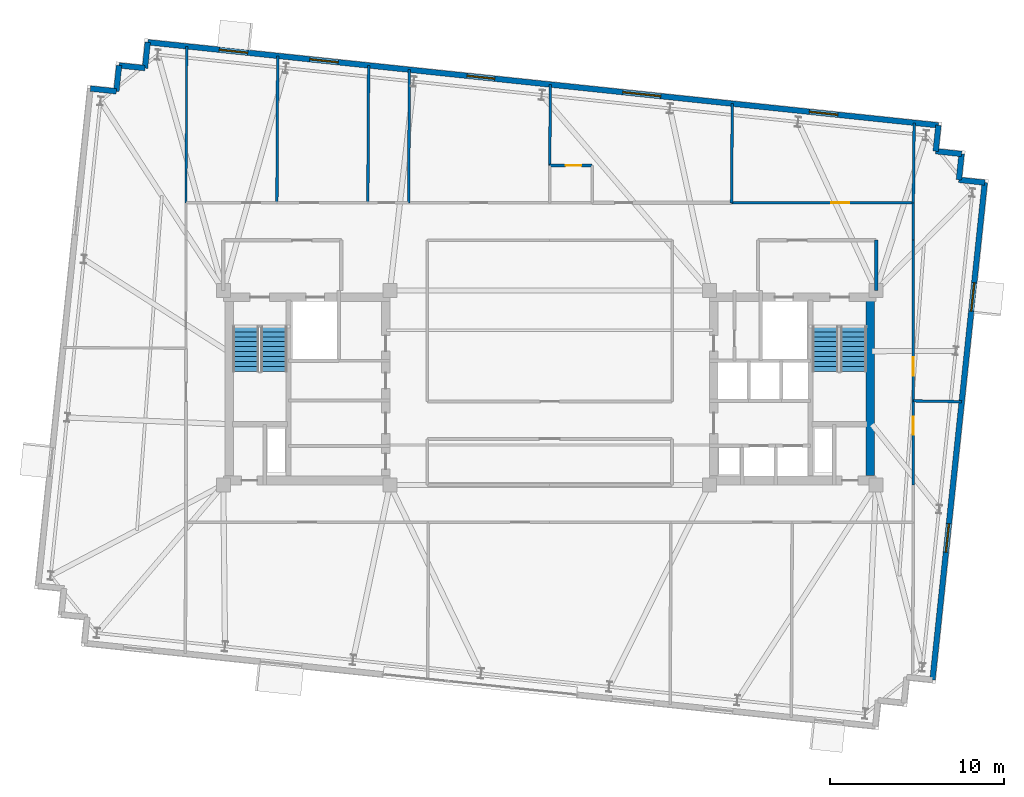
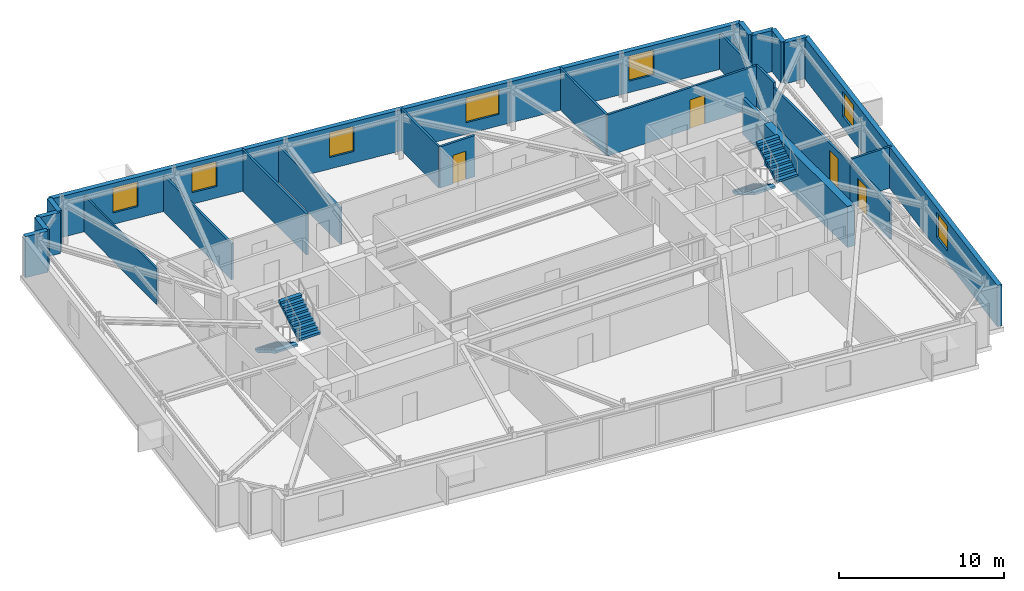
# One storey, part 10 of 12: 25 walls, 7 windows, 4 doors, 4 stair flights, 11 openings, 2 elements without a shape of their own.
"""IFC4 building model written with IfcOpenShell, lengths in metres."""

from ifc_helpers import new_model, si_unit, direction, frame, frame_2d, origin, place, context, subcontext, project, spatial, polyline, rectangle, outline, extrude, material, layer, layer_set, type_object, element, fill, aggregate, save


model = new_model("IFC4")

# Units and contexts
model_context = context("Model", 3, precision=1e-05, world=origin(), true_north=direction((0.0, 1.0)))
body_context = subcontext(model_context, "Body", "Model", "MODEL_VIEW")
ifc_project = project(units=[si_unit("LENGTHUNIT", "METRE"), si_unit("AREAUNIT", "SQUARE_METRE"), si_unit("VOLUMEUNIT", "CUBIC_METRE"), si_unit("PLANEANGLEUNIT", "RADIAN"), si_unit("MASSUNIT", "GRAM", prefix="KILO")], contexts=[model_context])

# Site, building, storey
site_placement = place(None, origin())
site = spatial("IfcSite", under=ifc_project, at=site_placement, CompositionType="ELEMENT")
building_placement = place(site_placement, origin())
building = spatial("IfcBuilding", under=site, at=building_placement, Name="Qobustan Lattice House", CompositionType="ELEMENT")
storey_placement = place(building_placement, frame((0.0, 0.0, 203.10009765625)))
storey = spatial("IfcBuildingStorey", under=building, at=storey_placement, Name="L57", CompositionType="ELEMENT", Elevation=203.10009765625)

# Walls
ifc_material_1 = material(Name="Concrete C50/60", Category="concrete")
ifc_layer_1 = layer(ifc_material_1, 0.5)
ifc_layer_set_1 = layer_set([ifc_layer_1], Name="Concrete C50/60")
wall_type_1 = type_object("IfcWallType", Name="WAL-CORE-500", PredefinedType="SHEAR", material=ifc_layer_set_1)
wall_1_placement = place(storey_placement, frame((18.4599609375, -5.050048828125, 0.0), z_axis=(0.0, 0.0, 1.0), x_axis=(0.0, 1.0, 0.0)))
element("IfcWall", 1, at=wall_1_placement, inside=storey, type_object=wall_type_1, Name="L57 split-core shear wall CE-E", PredefinedType="SHEAR", context=body_context, shape_type="SweptSolid", body=[
    extrude(rectangle(XDim=10.10009765625, YDim=0.5, at=frame_2d((5.050048828125, 0.0))), origin(), (0.0, 0.0, 1.0), 3.039794921875),
])
ifc_material_2 = material(Name="Precast concrete C40/50", Category="concrete")
ifc_layer_2 = layer(ifc_material_2, 0.320068359375)
ifc_layer_set_2 = layer_set([ifc_layer_2], Name="Precast concrete C40/50")
wall_type_2 = type_object("IfcWallType", Name="WAL-EXT-STONE-320", PredefinedType="SOLIDWALL", material=ifc_layer_set_2)
wall_2_placement = place(storey_placement, frame((-26.452880859375, 17.228515625, 0.0), z_axis=(0.0, 0.0, 1.0), x_axis=(0.994508128223, -0.104659366031, 0.0)))
element("IfcWall", 2, at=wall_2_placement, inside=storey, type_object=wall_type_2, Name="L57 exterior limestone-clad wall 6", PredefinedType="SOLIDWALL", context=body_context, shape_type="SweptSolid", body=[
    extrude(rectangle(XDim=1.5, YDim=0.320068359375, at=frame_2d((0.75, 0.0))), origin(), (0.0, 0.0, 1.0), 3.039794921875),
])
wall_3_placement = place(storey_placement, frame((-24.961181640625, 17.071533203125, 0.0), z_axis=(0.0, 0.0, 1.0), x_axis=(0.104642427191, 0.994509910675, 0.0)))
element("IfcWall", 3, at=wall_3_placement, inside=storey, type_object=wall_type_2, Name="L57 exterior limestone-clad wall 7", PredefinedType="SOLIDWALL", context=body_context, shape_type="SweptSolid", body=[
    extrude(rectangle(XDim=1.500244140625, YDim=0.320068359375, at=frame_2d((0.75, 0.0))), origin(), (0.0, 0.0, 1.0), 3.039794921875),
])
wall_4_placement = place(storey_placement, frame((-24.80419921875, 18.5634765625, 0.0), z_axis=(0.0, 0.0, 1.0), x_axis=(0.994508128223, -0.104659366031, 0.0)))
element("IfcWall", 4, at=wall_4_placement, inside=storey, type_object=wall_type_2, Name="L57 exterior limestone-clad wall 8", PredefinedType="SOLIDWALL", context=body_context, shape_type="SweptSolid", body=[
    extrude(rectangle(XDim=1.5, YDim=0.320068359375, at=frame_2d((0.75, 0.0))), origin(), (0.0, 0.0, 1.0), 3.039794921875),
])
wall_5_placement = place(storey_placement, frame((-23.3125, 18.406494140625, 0.0), z_axis=(0.0, 0.0, 1.0), x_axis=(0.104481464157, 0.994526834051, 0.0)))
element("IfcWall", 5, at=wall_5_placement, inside=storey, type_object=wall_type_2, Name="L57 exterior limestone-clad wall 9", PredefinedType="SOLIDWALL", context=body_context, shape_type="SweptSolid", body=[
    extrude(rectangle(XDim=1.500244140625, YDim=0.320068359375, at=frame_2d((0.75, 0.0))), origin(), (0.0, 0.0, 1.0), 3.039794921875),
])

# Wall, openings, windows
wall_6_placement = place(storey_placement, frame((-23.15576171875, 19.8984375, 0.0), z_axis=(0.0, 0.0, 1.0), x_axis=(0.994522001802, -0.104527450613, 0.0)))
wall_6 = element("IfcWall", 6, at=wall_6_placement, inside=storey, type_object=wall_type_2, Name="L57 exterior limestone-clad wall 10", PredefinedType="SOLIDWALL", context=body_context, shape_type="SweptSolid", body=[
    extrude(rectangle(XDim=45.800048828125, YDim=0.320068359375, at=frame_2d((22.89990234375, 0.0))), origin(), (0.0, 0.0, 1.0), 3.039794921875),
])
opening_1_placement = place(wall_6_placement, frame((4.139404296875, 0.0, 0.85009765625)))
opening_1 = element("IfcOpeningElement", 7, at=opening_1_placement, cuts=wall_6, Name="Opening WN-09", PredefinedType="OPENING", context=body_context, shape_type="SweptSolid", body=[
    extrude(rectangle(XDim=1.64990234375, YDim=1.85009765625, at=frame_2d((0.824951171875, 0.925048828125))), frame((0.0, 0.169921875, 0.0), z_axis=(0.0, -1.0, 0.0), x_axis=(1.0, 0.0, 0.0)), (0.0, 0.0, 1.0), 0.340087890625),
])
opening_2_placement = place(wall_6_placement, frame((9.3837890625, 0.0, 0.85009765625)))
opening_2 = element("IfcOpeningElement", 8, at=opening_2_placement, cuts=wall_6, Name="Opening WN-09", PredefinedType="OPENING", context=body_context, shape_type="SweptSolid", body=[
    extrude(rectangle(XDim=1.64990234375, YDim=1.85009765625, at=frame_2d((0.824951171875, 0.925048828125))), frame((0.0, 0.169921875, 0.0), z_axis=(0.0, -1.0, 0.0), x_axis=(1.0, 0.0, 0.0)), (0.0, 0.0, 1.0), 0.340087890625),
])
opening_3_placement = place(wall_6_placement, frame((18.496826171875, 0.0, 0.85009765625)))
opening_3 = element("IfcOpeningElement", 9, at=opening_3_placement, cuts=wall_6, Name="Opening WN-13", PredefinedType="OPENING", context=body_context, shape_type="SweptSolid", body=[
    extrude(rectangle(XDim=1.60009765625, YDim=1.85009765625, at=frame_2d((0.800048828125, 0.925048828125))), frame((0.0, 0.169921875, 0.0), z_axis=(0.0, -1.0, 0.0), x_axis=(1.0, 0.0, 0.0)), (0.0, 0.0, 1.0), 0.340087890625),
])
opening_4_placement = place(wall_6_placement, frame((27.525146484375, 0.0, 0.85009765625)))
opening_4 = element("IfcOpeningElement", 10, at=opening_4_placement, cuts=wall_6, Name="Opening WN-03", PredefinedType="OPENING", context=body_context, shape_type="SweptSolid", body=[
    extrude(rectangle(XDim=2.199951171875, YDim=1.85009765625, at=frame_2d((1.10009765625, 0.925048828125))), frame((0.0, 0.169921875, 0.0), z_axis=(0.0, -1.0, 0.0), x_axis=(1.0, 0.0, 0.0)), (0.0, 0.0, 1.0), 0.340087890625),
])
opening_5_placement = place(wall_6_placement, frame((38.329345703125, 0.0, 0.85009765625)))
opening_5 = element("IfcOpeningElement", 11, at=opening_5_placement, cuts=wall_6, Name="Opening WN-09", PredefinedType="OPENING", context=body_context, shape_type="SweptSolid", body=[
    extrude(rectangle(XDim=1.64990234375, YDim=1.85009765625, at=frame_2d((0.824951171875, 0.925048828125))), frame((0.0, 0.169921875, 0.0), z_axis=(0.0, -1.0, 0.0), x_axis=(1.0, 0.0, 0.0)), (0.0, 0.0, 1.0), 0.340087890625),
])
ifc_material_3 = material(Name="Double-glazed low-E aluminium window", Category="aluminium")
window_type_1 = type_object("IfcWindowType", Name="WIN-BED-1600x1850", PartitioningType="SINGLE_PANEL", PredefinedType="WINDOW", material=ifc_material_3)
window_1_placement = place(opening_3_placement, origin())
window_1 = element("IfcWindow", 12, at=window_1_placement, inside=storey, type_object=window_type_1, Name="L57 Laundry utility room window", OverallHeight=1.85009765625, OverallWidth=1.60009765625, PartitioningType="SINGLE_PANEL", PredefinedType="WINDOW", context=body_context, shape_type="SweptSolid", body=[
    extrude(rectangle(XDim=1.60009765625, YDim=1.85009765625, at=frame_2d((0.800048828125, 0.925048828125))), frame((0.0, 0.030029296875, 0.0), z_axis=(0.0, -1.0, 0.0), x_axis=(1.0, 0.0, 0.0)), (0.0, 0.0, 1.0), 0.06005859375),
])
fill(opening_3, window_1)
ifc_material_4 = material(Name="Double-glazed low-E aluminium window", Category="aluminium")
window_type_2 = type_object("IfcWindowType", Name="WIN-STU-1650x1850", PartitioningType="SINGLE_PANEL", PredefinedType="WINDOW", material=ifc_material_4)
window_2_placement = place(opening_1_placement, origin())
window_2 = element("IfcWindow", 13, at=window_2_placement, inside=storey, type_object=window_type_2, Name="L57 Focus study room N1A window", OverallHeight=1.85009765625, OverallWidth=1.64990234375, PartitioningType="SINGLE_PANEL", PredefinedType="WINDOW", context=body_context, shape_type="SweptSolid", body=[
    extrude(rectangle(XDim=1.64990234375, YDim=1.85009765625, at=frame_2d((0.824951171875, 0.925048828125))), frame((0.0, 0.030029296875, 0.0), z_axis=(0.0, -1.0, 0.0), x_axis=(1.0, 0.0, 0.0)), (0.0, 0.0, 1.0), 0.06005859375),
])
fill(opening_1, window_2)
window_3_placement = place(opening_2_placement, origin())
window_3 = element("IfcWindow", 14, at=window_3_placement, inside=storey, type_object=window_type_2, Name="L57 Focus study room N1B window", OverallHeight=1.85009765625, OverallWidth=1.64990234375, PartitioningType="SINGLE_PANEL", PredefinedType="WINDOW", context=body_context, shape_type="SweptSolid", body=[
    extrude(rectangle(XDim=1.64990234375, YDim=1.85009765625, at=frame_2d((0.824951171875, 0.925048828125))), frame((0.0, 0.030029296875, 0.0), z_axis=(0.0, -1.0, 0.0), x_axis=(1.0, 0.0, 0.0)), (0.0, 0.0, 1.0), 0.06005859375),
])
fill(opening_2, window_3)
window_4_placement = place(opening_5_placement, origin())
window_4 = element("IfcWindow", 15, at=window_4_placement, inside=storey, type_object=window_type_2, Name="L57 Focus study room N4 window", OverallHeight=1.85009765625, OverallWidth=1.64990234375, PartitioningType="SINGLE_PANEL", PredefinedType="WINDOW", context=body_context, shape_type="SweptSolid", body=[
    extrude(rectangle(XDim=1.64990234375, YDim=1.85009765625, at=frame_2d((0.824951171875, 0.925048828125))), frame((0.0, 0.030029296875, 0.0), z_axis=(0.0, -1.0, 0.0), x_axis=(1.0, 0.0, 0.0)), (0.0, 0.0, 1.0), 0.06005859375),
])
fill(opening_5, window_4)
ifc_material_5 = material(Name="Double-glazed low-E aluminium window", Category="aluminium")
window_type_3 = type_object("IfcWindowType", Name="WIN-WIDE-2200x1850", PartitioningType="SINGLE_PANEL", PredefinedType="WINDOW", material=ifc_material_5)
window_5_placement = place(opening_4_placement, origin())
window_5 = element("IfcWindow", 16, at=window_5_placement, inside=storey, type_object=window_type_3, Name="L57 Kitchenette and studio apartment L57-N3 window", OverallHeight=1.85009765625, OverallWidth=2.199951171875, PartitioningType="SINGLE_PANEL", PredefinedType="WINDOW", context=body_context, shape_type="SweptSolid", body=[
    extrude(rectangle(XDim=2.199951171875, YDim=1.85009765625, at=frame_2d((1.10009765625, 0.925048828125))), frame((0.0, 0.030029296875, 0.0), z_axis=(0.0, -1.0, 0.0), x_axis=(1.0, 0.0, 0.0)), (0.0, 0.0, 1.0), 0.06005859375),
])
fill(opening_4, window_5)

# Walls
wall_7_placement = place(storey_placement, frame((22.393310546875, 15.111083984375, 0.0), z_axis=(0.0, 0.0, 1.0), x_axis=(-0.104481464157, -0.994526834051, 0.0)))
element("IfcWall", 17, at=wall_7_placement, inside=storey, type_object=wall_type_2, Name="L57 exterior limestone-clad wall 11", PredefinedType="SOLIDWALL", context=body_context, shape_type="SweptSolid", body=[
    extrude(rectangle(XDim=1.500244140625, YDim=0.320068359375, at=frame_2d((0.75, 0.0))), origin(), (0.0, 0.0, 1.0), 3.039794921875),
])
for number, where, z_axis, x_axis, name in (
    (18, (22.236572265625, 13.619140625, 0.0), (0.0, 0.0, 1.0), (0.994525057048, -0.104498377516, 0.0), "L57 exterior limestone-clad wall 12"),
    (19, (23.728271484375, 13.46240234375, 0.0), (0.0, 0.0, 1.0), (-0.104498377516, -0.994525057048, 0.0), "L57 exterior limestone-clad wall 13"),
    (20, (23.571533203125, 11.970703125, 0.0), (0.0, 0.0, 1.0), (0.994508128223, -0.104659366031, 0.0), "L57 exterior limestone-clad wall 14"),
):
    element("IfcWall", number, at=place(storey_placement, frame(where, z_axis=z_axis, x_axis=x_axis)), inside=storey, type_object=wall_type_2, Name=name, PredefinedType="SOLIDWALL", context=body_context, shape_type="SweptSolid", body=[
        extrude(rectangle(XDim=1.5, YDim=0.320068359375, at=frame_2d((0.75, 0.0))), origin(), (0.0, 0.0, 1.0), 3.039794921875),
    ])

# Wall, openings, windows
wall_8_placement = place(storey_placement, frame((25.063232421875, 11.813720703125, 0.0), z_axis=(0.0, 0.0, 1.0), x_axis=(-0.104523275986, -0.99452244056, 0.0)))
wall_8 = element("IfcWall", 21, at=wall_8_placement, inside=storey, type_object=wall_type_2, Name="L57 exterior limestone-clad wall 15", PredefinedType="SOLIDWALL", context=body_context, shape_type="SweptSolid", body=[
    extrude(rectangle(XDim=28.7998046875, YDim=0.320068359375, at=frame_2d((14.39990234375, 0.0))), origin(), (0.0, 0.0, 1.0), 3.039794921875),
])
opening_6_placement = place(wall_8_placement, frame((5.79345703125, 0.0, 0.85009765625)))
opening_6 = element("IfcOpeningElement", 22, at=opening_6_placement, cuts=wall_8, Name="Opening WN-09", PredefinedType="OPENING", context=body_context, shape_type="SweptSolid", body=[
    extrude(rectangle(XDim=1.64990234375, YDim=1.85009765625, at=frame_2d((0.824951171875, 0.925048828125))), frame((0.0, 0.169921875, 0.0), z_axis=(0.0, -1.0, 0.0), x_axis=(1.0, 0.0, 0.0)), (0.0, 0.0, 1.0), 0.340087890625),
])
opening_7_placement = place(wall_8_placement, frame((19.752197265625, 0.0, 0.85009765625)))
opening_7 = element("IfcOpeningElement", 23, at=opening_7_placement, cuts=wall_8, Name="Opening WN-09", PredefinedType="OPENING", context=body_context, shape_type="SweptSolid", body=[
    extrude(rectangle(XDim=1.64990234375, YDim=1.85009765625, at=frame_2d((0.824951171875, 0.925048828125))), frame((0.0, 0.169921875, 0.0), z_axis=(0.0, -1.0, 0.0), x_axis=(1.0, 0.0, 0.0)), (0.0, 0.0, 1.0), 0.340087890625),
])
window_6_placement = place(opening_6_placement, origin())
window_6 = element("IfcWindow", 24, at=window_6_placement, inside=storey, type_object=window_type_2, Name="L57 Collaborative tutorial room window", OverallHeight=1.85009765625, OverallWidth=1.64990234375, PartitioningType="SINGLE_PANEL", PredefinedType="WINDOW", context=body_context, shape_type="SweptSolid", body=[
    extrude(rectangle(XDim=1.64990234375, YDim=1.85009765625, at=frame_2d((0.824951171875, 0.925048828125))), frame((0.0, 0.030029296875, 0.0), z_axis=(0.0, -1.0, 0.0), x_axis=(1.0, 0.0, 0.0)), (0.0, 0.0, 1.0), 0.06005859375),
])
fill(opening_6, window_6)
window_7_placement = place(opening_7_placement, origin())
window_7 = element("IfcWindow", 25, at=window_7_placement, inside=storey, type_object=window_type_2, Name="L57 Fellows reading room window", OverallHeight=1.85009765625, OverallWidth=1.64990234375, PartitioningType="SINGLE_PANEL", PredefinedType="WINDOW", context=body_context, shape_type="SweptSolid", body=[
    extrude(rectangle(XDim=1.64990234375, YDim=1.85009765625, at=frame_2d((0.824951171875, 0.925048828125))), frame((0.0, 0.030029296875, 0.0), z_axis=(0.0, -1.0, 0.0), x_axis=(1.0, 0.0, 0.0)), (0.0, 0.0, 1.0), 0.06005859375),
])
fill(opening_7, window_7)

# Walls
ifc_material_6 = material(Name="Lightweight acoustic stud partition", Category="gypsum")
ifc_layer_3 = layer(ifc_material_6, 0.125)
ifc_layer_set_3 = layer_set([ifc_layer_3], Name="Lightweight acoustic stud partition")
wall_type_3 = type_object("IfcWallType", Name="WAL-PART-125", PredefinedType="PARTITIONING", material=ifc_layer_set_3)
wall_9_placement = place(storey_placement, frame((-20.906005859375, 19.661865234375, 0.0), z_axis=(0.0, 0.0, 1.0), x_axis=(-0.004876272857, -0.999988110911, 0.0)))
element("IfcWall", 26, at=wall_9_placement, inside=storey, type_object=wall_type_3, Name="L57 interior partition 63", PredefinedType="PARTITIONING", context=body_context, shape_type="SweptSolid", body=[
    extrude(rectangle(XDim=9.011962890625, YDim=0.125, at=frame_2d((4.505859375, 0.0))), origin(), (0.0, 0.0, 1.0), 2.664794921875),
])
ifc_material_7 = material(Name="Acoustic twin-stud gypsum partition", Category="gypsum")
ifc_layer_4 = layer(ifc_material_7, 0.14990234375)
ifc_layer_set_4 = layer_set([ifc_layer_4], Name="Acoustic twin-stud gypsum partition")
wall_type_4 = type_object("IfcWallType", Name="WAL-PART-150", PredefinedType="PARTITIONING", material=ifc_layer_set_4)
wall_10_placement = place(storey_placement, frame((20.949951171875, 10.64990234375, 0.0), z_axis=(0.0, 0.0, 1.0), x_axis=(0.0, -1.0, 0.0)))
element("IfcWall", 27, at=wall_10_placement, inside=storey, type_object=wall_type_4, Name="L57 interior partition 37", PredefinedType="PARTITIONING", context=body_context, shape_type="SweptSolid", body=[
    extrude(rectangle(XDim=2.14990234375, YDim=0.14990234375, at=frame_2d((1.074951171875, 0.0))), origin(), (0.0, 0.0, 1.0), 3.039794921875),
])

# Wall, opening, door
wall_11_placement = place(storey_placement, frame((10.47509765625, 10.64990234375, 0.0), z_axis=(0.0, 0.0, 1.0), x_axis=(1.0, 0.0, 0.0)))
wall_11 = element("IfcWall", 28, at=wall_11_placement, inside=storey, type_object=wall_type_4, Name="L57 interior partition 40", PredefinedType="PARTITIONING", context=body_context, shape_type="SweptSolid", body=[
    extrude(rectangle(XDim=10.474853515625, YDim=0.14990234375, at=frame_2d((5.2373046875, 0.0))), origin(), (0.0, 0.0, 1.0), 3.039794921875),
])
opening_8_placement = place(wall_11_placement, frame((5.74560546875, 0.0, 0.0)))
opening_8 = element("IfcOpeningElement", 29, at=opening_8_placement, cuts=wall_11, Name="Opening ID-02", PredefinedType="OPENING", context=body_context, shape_type="SweptSolid", body=[
    extrude(rectangle(XDim=1.050048828125, YDim=2.14990234375, at=frame_2d((0.52490234375, 1.074951171875))), frame((0.0, 0.0849609375, 0.0), z_axis=(0.0, -1.0, 0.0), x_axis=(1.0, 0.0, 0.0)), (0.0, 0.0, 1.0), 0.169921875),
])
ifc_material_8 = material(Name="Persian walnut timber and steel frame door", Category="steel")
door_type_1 = type_object("IfcDoorType", Name="DOR-STUDY-1050x2150", OperationType="NOTDEFINED", PredefinedType="DOOR", material=ifc_material_8)
door_1_placement = place(opening_8_placement, origin())
door_1 = element("IfcDoor", 30, at=door_1_placement, inside=storey, type_object=door_type_1, Name="L57 North-east floor corridor to Focus study room N4 door", OperationType="SINGLE_SWING_RIGHT", OverallHeight=2.14990234375, OverallWidth=1.050048828125, PredefinedType="DOOR", context=body_context, shape_type="SweptSolid", body=[
    extrude(rectangle(XDim=1.050048828125, YDim=2.14990234375, at=frame_2d((0.52490234375, 1.074951171875))), frame((0.0, 0.02490234375, 0.0), z_axis=(0.0, -1.0, 0.0), x_axis=(1.0, 0.0, 0.0)), (0.0, 0.0, 1.0), 0.050048828125),
])
fill(opening_8, door_1)

wall_12_placement = place(storey_placement, frame((20.949951171875, -0.76318359375, 0.0), z_axis=(0.0, 0.0, 1.0), x_axis=(0.0, -1.0, 0.0)))
wall_12 = element("IfcWall", 31, at=wall_12_placement, inside=storey, type_object=wall_type_4, Name="L57 interior partition 53", PredefinedType="PARTITIONING", context=body_context, shape_type="SweptSolid", body=[
    extrude(rectangle(XDim=4.8369140625, YDim=0.14990234375, at=frame_2d((2.41845703125, 0.0))), origin(), (0.0, 0.0, 1.0), 2.69482421875),
])
opening_9_placement = place(wall_12_placement, frame((0.908203125, 0.0, 0.0)))
opening_9 = element("IfcOpeningElement", 32, at=opening_9_placement, cuts=wall_12, Name="Opening ID-02", PredefinedType="OPENING", context=body_context, shape_type="SweptSolid", body=[
    extrude(rectangle(XDim=1.050048828125, YDim=2.14990234375, at=frame_2d((0.52490234375, 1.074951171875))), frame((0.0, 0.0849609375, 0.0), z_axis=(0.0, -1.0, 0.0), x_axis=(1.0, 0.0, 0.0)), (0.0, 0.0, 1.0), 0.169921875),
])
door_2_placement = place(opening_9_placement, origin())
door_2 = element("IfcDoor", 33, at=door_2_placement, inside=storey, type_object=door_type_1, Name="L57 East wing spine gallery to Fellows reading room door", OperationType="SINGLE_SWING_LEFT", OverallHeight=2.14990234375, OverallWidth=1.050048828125, PredefinedType="DOOR", context=body_context, shape_type="SweptSolid", body=[
    extrude(rectangle(XDim=1.050048828125, YDim=2.14990234375, at=frame_2d((0.52490234375, 1.074951171875))), frame((0.0, 0.02490234375, 0.0), z_axis=(0.0, -1.0, 0.0), x_axis=(1.0, 0.0, 0.0)), (0.0, 0.0, 1.0), 0.050048828125),
])
fill(opening_9, door_2)

wall_13_placement = place(storey_placement, frame((20.949951171875, 8.5, 0.0), z_axis=(0.0, 0.0, 1.0), x_axis=(0.0, -1.0, 0.0)))
wall_13 = element("IfcWall", 34, at=wall_13_placement, inside=storey, type_object=wall_type_4, Name="L57 interior partition 54", PredefinedType="PARTITIONING", context=body_context, shape_type="SweptSolid", body=[
    extrude(rectangle(XDim=9.26318359375, YDim=0.14990234375, at=frame_2d((4.631591796875, 0.0))), origin(), (0.0, 0.0, 1.0), 2.69482421875),
])
opening_10_placement = place(wall_13_placement, frame((6.75146484375, 0.0, 0.0)))
opening_10 = element("IfcOpeningElement", 35, at=opening_10_placement, cuts=wall_13, Name="Opening ID-02", PredefinedType="OPENING", context=body_context, shape_type="SweptSolid", body=[
    extrude(rectangle(XDim=1.050048828125, YDim=2.14990234375, at=frame_2d((0.52490234375, 1.074951171875))), frame((0.0, 0.0849609375, 0.0), z_axis=(0.0, -1.0, 0.0), x_axis=(1.0, 0.0, 0.0)), (0.0, 0.0, 1.0), 0.169921875),
])
door_3_placement = place(opening_10_placement, origin())
door_3 = element("IfcDoor", 36, at=door_3_placement, inside=storey, type_object=door_type_1, Name="L57 East wing spine gallery to Collaborative tutorial room door", OperationType="SINGLE_SWING_RIGHT", OverallHeight=2.14990234375, OverallWidth=1.050048828125, PredefinedType="DOOR", context=body_context, shape_type="SweptSolid", body=[
    extrude(rectangle(XDim=1.050048828125, YDim=2.14990234375, at=frame_2d((0.52490234375, 1.074951171875))), frame((0.0, 0.02490234375, 0.0), z_axis=(0.0, -1.0, 0.0), x_axis=(1.0, 0.0, 0.0)), (0.0, 0.0, 1.0), 0.050048828125),
])
fill(opening_10, door_3)

# Walls
wall_14_placement = place(storey_placement, frame((20.949951171875, -0.76318359375, 0.0), z_axis=(0.0, 0.0, 1.0), x_axis=(0.999875696831, -0.015766765259, 0.0)))
element("IfcWall", 37, at=wall_14_placement, inside=storey, type_object=wall_type_4, Name="L57 interior partition 64", PredefinedType="PARTITIONING", context=body_context, shape_type="SweptSolid", body=[
    extrude(rectangle(XDim=2.787109375, YDim=0.14990234375, at=frame_2d((1.3935546875, 0.0))), origin(), (0.0, 0.0, 1.0), 3.039794921875),
])
wall_15_placement = place(storey_placement, frame((20.949951171875, 10.64990234375, 0.0), z_axis=(0.0, 0.0, 1.0), x_axis=(0.009535990233, 0.999954531411, 0.0)))
element("IfcWall", 38, at=wall_15_placement, inside=storey, type_object=wall_type_4, Name="L57 interior partition 66", PredefinedType="PARTITIONING", context=body_context, shape_type="SweptSolid", body=[
    extrude(rectangle(XDim=4.6083984375, YDim=0.14990234375, at=frame_2d((2.30419921875, 0.0))), origin(), (0.0, 0.0, 1.0), 2.664794921875),
])
wall_16_placement = place(storey_placement, frame((-15.668701171875, 19.111572265625, 0.0), z_axis=(0.0, 0.0, 1.0), x_axis=(-0.005164534834, -0.999986663701, 0.0)))
element("IfcWall", 39, at=wall_16_placement, inside=storey, type_object=wall_type_4, Name="L57 interior partition 67", PredefinedType="PARTITIONING", context=body_context, shape_type="SweptSolid", body=[
    extrude(rectangle(XDim=8.461669921875, YDim=0.14990234375, at=frame_2d((4.23095703125, 0.0))), origin(), (0.0, 0.0, 1.0), 2.664794921875),
])
wall_17_placement = place(storey_placement, frame((0.0439453125, 17.4599609375, 0.0), z_axis=(0.0, 0.0, 1.0), x_axis=(-0.009430083116, -0.999955535778, 0.0)))
element("IfcWall", 40, at=wall_17_placement, inside=storey, type_object=wall_type_4, Name="L57 interior partition 70", PredefinedType="PARTITIONING", context=body_context, shape_type="SweptSolid", body=[
    extrude(rectangle(XDim=4.66015625, YDim=0.14990234375, at=frame_2d((2.330078125, 0.0))), origin(), (0.0, 0.0, 1.0), 3.039794921875),
])
wall_18_placement = place(storey_placement, frame((10.518798828125, 16.359130859375, 0.0), z_axis=(0.0, 0.0, 1.0), x_axis=(-0.007654255135, -0.99997070576, 0.0)))
element("IfcWall", 41, at=wall_18_placement, inside=storey, type_object=wall_type_4, Name="L57 interior partition 74", PredefinedType="PARTITIONING", context=body_context, shape_type="SweptSolid", body=[
    extrude(rectangle(XDim=5.70947265625, YDim=0.14990234375, at=frame_2d((2.854736328125, 0.0))), origin(), (0.0, 0.0, 1.0), 3.039794921875),
])
ifc_material_9 = material(Name="Two-hour gypsum fireboard acoustic partition", Category="gypsum")
ifc_layer_5 = layer(ifc_material_9, 0.199951171875)
ifc_layer_set_5 = layer_set([ifc_layer_5], Name="Two-hour gypsum fireboard acoustic partition")
wall_type_5 = type_object("IfcWallType", Name="WAL-PROT-200", PredefinedType="PARTITIONING", material=ifc_layer_set_5)
wall_19_placement = place(storey_placement, frame((18.800048828125, 5.60009765625, 0.0), z_axis=(0.0, 0.0, 1.0), x_axis=(0.0, 1.0, 0.0)))
element("IfcWall", 42, at=wall_19_placement, inside=storey, type_object=wall_type_5, Name="L57 interior partition 16", PredefinedType="PARTITIONING", context=body_context, shape_type="SweptSolid", body=[
    extrude(rectangle(XDim=2.89990234375, YDim=0.199951171875, at=frame_2d((1.449951171875, 0.0))), origin(), (0.0, 0.0, 1.0), 2.664794921875),
])
ifc_material_10 = material(Name="Moisture-resistant acoustic plumbing wall", Category="gypsum")
ifc_layer_6 = layer(ifc_material_10, 0.14990234375)
ifc_layer_set_6 = layer_set([ifc_layer_6], Name="Moisture-resistant acoustic plumbing wall")
wall_type_6 = type_object("IfcWallType", Name="WAL-WET-150", PredefinedType="PLUMBINGWALL", material=ifc_layer_set_6)
wall_20_placement = place(storey_placement, frame((-10.43115234375, 18.56103515625, 0.0), z_axis=(0.0, 0.0, 1.0), x_axis=(-0.005554784069, -0.999984572068, 0.0)))
element("IfcWall", 43, at=wall_20_placement, inside=storey, type_object=wall_type_6, Name="L57 interior partition 68", PredefinedType="PLUMBINGWALL", context=body_context, shape_type="SweptSolid", body=[
    extrude(rectangle(XDim=7.9111328125, YDim=0.14990234375, at=frame_2d((3.95556640625, 0.0))), origin(), (0.0, 0.0, 1.0), 3.039794921875),
])
wall_21_placement = place(storey_placement, frame((-8.0810546875, 18.31396484375, 0.0), z_axis=(0.0, 0.0, 1.0), x_axis=(-0.005733850696, -0.999983561343, 0.0)))
element("IfcWall", 44, at=wall_21_placement, inside=storey, type_object=wall_type_6, Name="L57 interior partition 69", PredefinedType="PLUMBINGWALL", context=body_context, shape_type="SweptSolid", body=[
    extrude(rectangle(XDim=7.664306640625, YDim=0.14990234375, at=frame_2d((3.83203125, 0.0))), origin(), (0.0, 0.0, 1.0), 2.664794921875),
])

# Wall, opening, door
wall_22_placement = place(storey_placement, frame((2.449951171875, 12.800048828125, 0.0), z_axis=(0.0, 0.0, 1.0), x_axis=(-1.0, 0.0, 0.0)))
wall_22 = element("IfcWall", 45, at=wall_22_placement, inside=storey, type_object=wall_type_6, Name="L57 interior partition 72", PredefinedType="PLUMBINGWALL", context=body_context, shape_type="SweptSolid", body=[
    extrude(rectangle(XDim=2.449951171875, YDim=0.14990234375, at=frame_2d((1.22509765625, 0.0))), origin(), (0.0, 0.0, 1.0), 3.039794921875),
])
opening_11_placement = place(wall_22_placement, frame((0.62890625, 0.0, 0.0)))
opening_11 = element("IfcOpeningElement", 46, at=opening_11_placement, cuts=wall_22, Name="Opening WD-01", PredefinedType="OPENING", context=body_context, shape_type="SweptSolid", body=[
    extrude(rectangle(XDim=0.89990234375, YDim=2.10009765625, at=frame_2d((0.449951171875, 1.050048828125))), frame((0.0, 0.0849609375, 0.0), z_axis=(0.0, -1.0, 0.0), x_axis=(1.0, 0.0, 0.0)), (0.0, 0.0, 1.0), 0.169921875),
])
ifc_material_11 = material(Name="Persian walnut timber and steel frame door", Category="steel")
door_type_2 = type_object("IfcDoorType", Name="DOR-WET-900x2100", OperationType="NOTDEFINED", PredefinedType="DOOR", material=ifc_material_11)
door_4_placement = place(opening_11_placement, origin())
door_4 = element("IfcDoor", 47, at=door_4_placement, inside=storey, type_object=door_type_2, Name="L57 Kitchenette and studio apartment L57-N3 to En-suite bathroom L57-N3 door", OperationType="SINGLE_SWING_LEFT", OverallHeight=2.10009765625, OverallWidth=0.89990234375, PredefinedType="DOOR", context=body_context, shape_type="SweptSolid", body=[
    extrude(rectangle(XDim=0.89990234375, YDim=2.10009765625, at=frame_2d((0.449951171875, 1.050048828125))), frame((0.0, 0.02490234375, 0.0), z_axis=(0.0, -1.0, 0.0), x_axis=(1.0, 0.0, 0.0)), (0.0, 0.0, 1.0), 0.050048828125),
])
fill(opening_11, door_4)

# Stair, stair flights
ifc_material_12 = material(Name="Concrete C40/50", Category="concrete")
stair_type = type_object("IfcStairType", Name="STR-CORE-DOGLEG", PredefinedType="HALF_TURN_STAIR", material=ifc_material_12)
stair_1_placement = place(storey_placement, origin())
stair_1 = element("IfcStair", 48, at=stair_1_placement, inside=storey, type_object=stair_type, Name="L57 West protected exit stair ST-W1", PredefinedType="HALF_TURN_STAIR")
ifc_material_13 = material(Name="Concrete C40/50", Category="concrete")
stair_flight_type = type_object("IfcStairFlightType", Name="SFL-RC-1500", PredefinedType="STRAIGHT", material=ifc_material_13)
stair_flight_1_placement = place(storey_placement, frame((-17.5, 3.5, 0.0), z_axis=(0.0, 0.0, 1.0), x_axis=(0.0, -1.0, 0.0)))
stair_flight_1 = element("IfcStairFlight", 49, at=stair_flight_1_placement, type_object=stair_flight_type, Name="ST-W1 flight 1", NumberOfRisers=10, NumberOfTreads=9, PredefinedType="STRAIGHT", RiserHeight=0.1675, TreadLength=0.285, context=body_context, shape_type="SweptSolid", body=[
    extrude(outline(polyline([(0.0, 0.0), (0.0, 0.16748046875), (0.284912109375, 0.16748046875), (0.284912109375, 0.3349609375), (0.570068359375, 0.3349609375), (0.570068359375, 0.50244140625), (0.85498046875, 0.50244140625), (0.85498046875, 0.669921875), (1.139892578125, 0.669921875), (1.139892578125, 0.83740234375), (1.425048828125, 0.83740234375), (1.425048828125, 1.0048828125), (1.7099609375, 1.0048828125), (1.7099609375, 1.172607421875), (1.9951171875, 1.172607421875), (1.9951171875, 1.340087890625), (2.280029296875, 1.340087890625), (2.280029296875, 1.507568359375), (2.56494140625, 1.507568359375), (2.56494140625, 1.675048828125), (2.56494140625, 1.333740234375), (0.2958984375, 0.0), (0.0, 0.0)])), frame((0.0, 0.75, 0.0), z_axis=(0.0, -1.0, 0.0), x_axis=(1.0, 0.0, 0.0)), (0.0, 0.0, 1.0), 1.5),
])
stair_flight_2_placement = place(storey_placement, frame((-15.8798828125, 0.93505859375, 1.6748046875), z_axis=(0.0, 0.0, 1.0), x_axis=(0.0, 1.0, 0.0)))
stair_flight_2 = element("IfcStairFlight", 50, at=stair_flight_2_placement, type_object=stair_flight_type, Name="ST-W1 flight 2", NumberOfRisers=10, NumberOfTreads=9, PredefinedType="STRAIGHT", RiserHeight=0.1675, TreadLength=0.285, context=body_context, shape_type="SweptSolid", body=[
    extrude(outline(polyline([(0.0, 0.0), (0.0, 0.16748046875), (0.284912109375, 0.16748046875), (0.284912109375, 0.3349609375), (0.570068359375, 0.3349609375), (0.570068359375, 0.50244140625), (0.85498046875, 0.50244140625), (0.85498046875, 0.669921875), (1.139892578125, 0.669921875), (1.139892578125, 0.83740234375), (1.425048828125, 0.83740234375), (1.425048828125, 1.0048828125), (1.7099609375, 1.0048828125), (1.7099609375, 1.172607421875), (1.9951171875, 1.172607421875), (1.9951171875, 1.340087890625), (2.280029296875, 1.340087890625), (2.280029296875, 1.507568359375), (2.56494140625, 1.507568359375), (2.56494140625, 1.675048828125), (2.56494140625, 1.333740234375), (0.2958984375, 0.0), (0.0, 0.0)])), frame((0.0, 0.75, 0.0), z_axis=(0.0, -1.0, 0.0), x_axis=(1.0, 0.0, 0.0)), (0.0, 0.0, 1.0), 1.5),
])
aggregate(stair_1, [stair_flight_1, stair_flight_2])

stair_2_placement = place(storey_placement, origin())
stair_2 = element("IfcStair", 51, at=stair_2_placement, inside=storey, type_object=stair_type, Name="L57 East protected exit stair ST-E1", PredefinedType="HALF_TURN_STAIR")
stair_flight_3_placement = place(storey_placement, frame((15.8798828125, 3.5, 0.0), z_axis=(0.0, 0.0, 1.0), x_axis=(0.0, -1.0, 0.0)))
stair_flight_3 = element("IfcStairFlight", 52, at=stair_flight_3_placement, type_object=stair_flight_type, Name="ST-E1 flight 1", NumberOfRisers=10, NumberOfTreads=9, PredefinedType="STRAIGHT", RiserHeight=0.1675, TreadLength=0.285, context=body_context, shape_type="SweptSolid", body=[
    extrude(outline(polyline([(0.0, 0.0), (0.0, 0.16748046875), (0.284912109375, 0.16748046875), (0.284912109375, 0.3349609375), (0.570068359375, 0.3349609375), (0.570068359375, 0.50244140625), (0.85498046875, 0.50244140625), (0.85498046875, 0.669921875), (1.139892578125, 0.669921875), (1.139892578125, 0.83740234375), (1.425048828125, 0.83740234375), (1.425048828125, 1.0048828125), (1.7099609375, 1.0048828125), (1.7099609375, 1.172607421875), (1.9951171875, 1.172607421875), (1.9951171875, 1.340087890625), (2.280029296875, 1.340087890625), (2.280029296875, 1.507568359375), (2.56494140625, 1.507568359375), (2.56494140625, 1.675048828125), (2.56494140625, 1.333740234375), (0.2958984375, 0.0), (0.0, 0.0)])), frame((0.0, 0.75, 0.0), z_axis=(0.0, -1.0, 0.0), x_axis=(1.0, 0.0, 0.0)), (0.0, 0.0, 1.0), 1.5),
])
stair_flight_4_placement = place(storey_placement, frame((17.5, 0.93505859375, 1.6748046875), z_axis=(0.0, 0.0, 1.0), x_axis=(0.0, 1.0, 0.0)))
stair_flight_4 = element("IfcStairFlight", 53, at=stair_flight_4_placement, type_object=stair_flight_type, Name="ST-E1 flight 2", NumberOfRisers=10, NumberOfTreads=9, PredefinedType="STRAIGHT", RiserHeight=0.1675, TreadLength=0.285, context=body_context, shape_type="SweptSolid", body=[
    extrude(outline(polyline([(0.0, 0.0), (0.0, 0.16748046875), (0.284912109375, 0.16748046875), (0.284912109375, 0.3349609375), (0.570068359375, 0.3349609375), (0.570068359375, 0.50244140625), (0.85498046875, 0.50244140625), (0.85498046875, 0.669921875), (1.139892578125, 0.669921875), (1.139892578125, 0.83740234375), (1.425048828125, 0.83740234375), (1.425048828125, 1.0048828125), (1.7099609375, 1.0048828125), (1.7099609375, 1.172607421875), (1.9951171875, 1.172607421875), (1.9951171875, 1.340087890625), (2.280029296875, 1.340087890625), (2.280029296875, 1.507568359375), (2.56494140625, 1.507568359375), (2.56494140625, 1.675048828125), (2.56494140625, 1.333740234375), (0.2958984375, 0.0), (0.0, 0.0)])), frame((0.0, 0.75, 0.0), z_axis=(0.0, -1.0, 0.0), x_axis=(1.0, 0.0, 0.0)), (0.0, 0.0, 1.0), 1.5),
])
aggregate(stair_2, [stair_flight_3, stair_flight_4])

save(model, "model.ifc")
